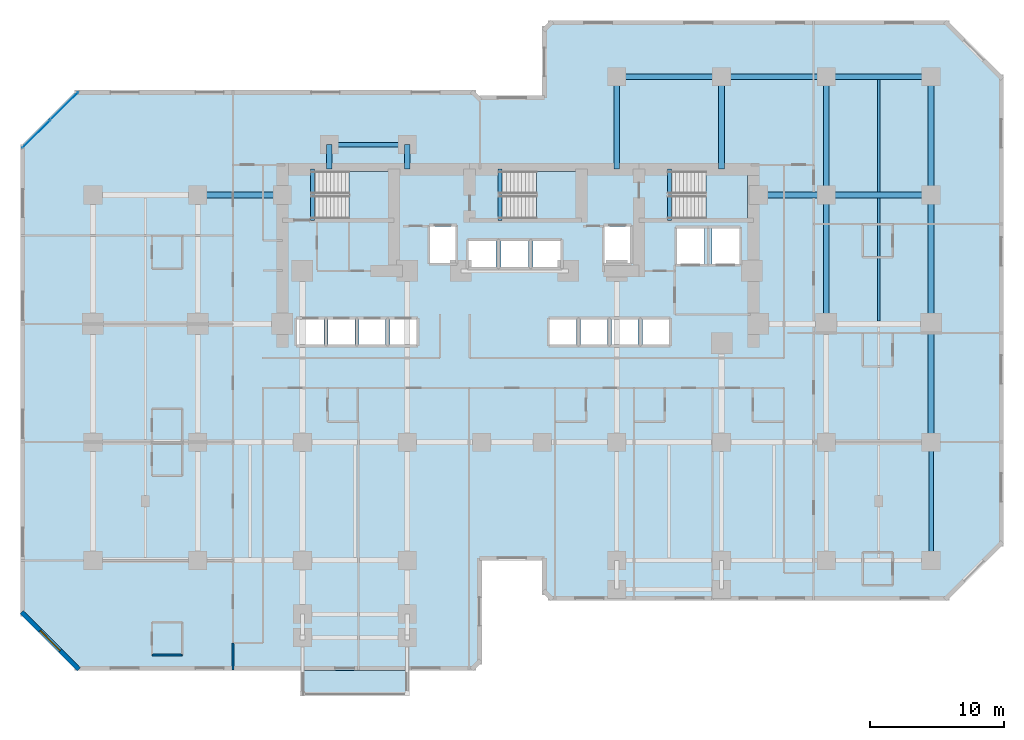
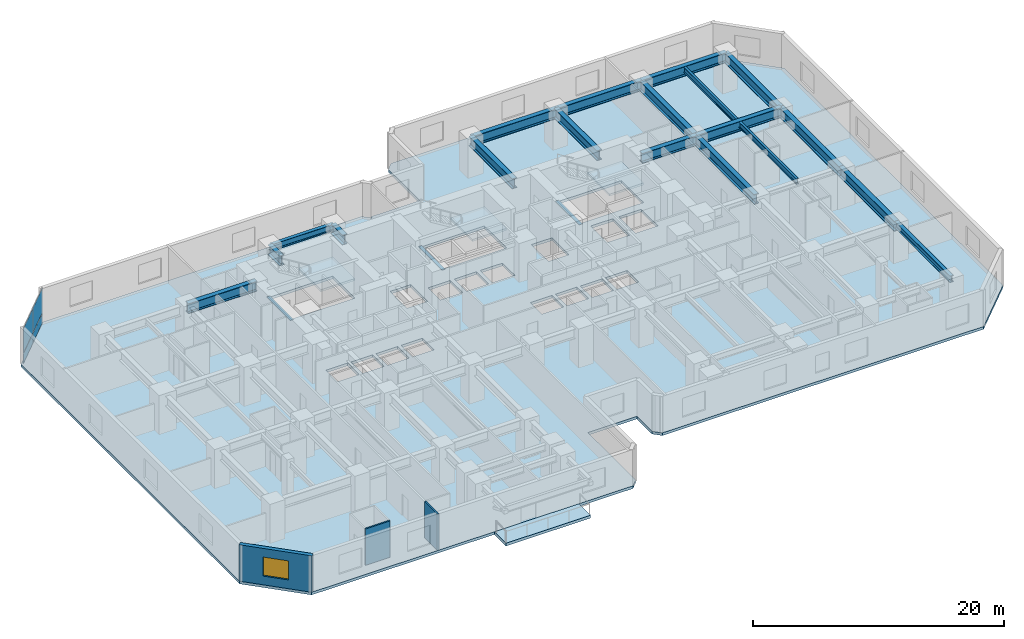
# One storey, part 4 of 12: 22 beams, 5 slabs, 4 plates, 3 walls, 1 window, 1 opening, 4 elements without a shape of their own.
"""IFC4 building model written with IfcOpenShell, lengths in metres."""

import ifcopenshell
import ifcopenshell.guid

model = None  # the IFC model being written
_history = None  # IfcOwnerHistory: only IFC2X3 demands one
_inside = {}  # id of a spatial element -> (the spatial element, [elements in it])
_under = {}  # id of a project, library or spatial element -> (it, [spatial elements below it])
_declared = {}  # id of a project -> (the project, [libraries it declares])
_typed = {}  # id of a type object -> (the type object, [elements of that type])
_made_of = {}  # id of a material, layer set ... -> (it, [elements and type objects made of it])


def new_model(schema):
    """Start an empty IFC model of exactly this schema.

    Asked for "IFC4X3", IfcOpenShell would pick the latest addendum, in which some entities
    have other attributes; the version numbers below select the first issue.
    IFC2X3 requires an IfcOwnerHistory on every rooted entity: one is made here for all.
    """
    global model, _history
    if schema == "IFC4X3":
        model = ifcopenshell.file(schema_version=(4, 3, 0, 0))
    else:
        model = ifcopenshell.file(schema=schema)
    _inside.clear()
    _under.clear()
    _declared.clear()
    _typed.clear()
    _made_of.clear()
    _history = None
    if model.schema == "IFC2X3":
        org = make("IfcOrganization", Name="unknown")
        user = make(
            "IfcPersonAndOrganization",
            ThePerson=make("IfcPerson", FamilyName="unknown"),
            TheOrganization=org,
        )
        app = make(
            "IfcApplication",
            ApplicationDeveloper=org,
            Version="unknown",
            ApplicationFullName="unknown",
            ApplicationIdentifier="unknown",
        )
        _history = make(
            "IfcOwnerHistory",
            OwningUser=user,
            OwningApplication=app,
            ChangeAction="ADDED",
            CreationDate=0,
        )
    return model


def make(cls, **values):
    """One entity of the class cls with the attributes given. An attribute that is None is left unset."""
    return model.create_entity(
        cls, **{name: value for name, value in values.items() if value is not None}
    )


def rooted(cls, **values):
    """An entity with a GlobalId (a new one), such as an element, a storey or a relation."""
    return make(cls, GlobalId=ifcopenshell.guid.new(), OwnerHistory=_history, **values)


def si_unit(unit_type, name, prefix=None):
    """IfcSIUnit, for example si_unit("LENGTHUNIT", "METRE", prefix="MILLI")."""
    return make("IfcSIUnit", UnitType=unit_type, Prefix=prefix, Name=name)


def assignment(units):
    """IfcUnitAssignment: the units of a project."""
    return None if units is None else make("IfcUnitAssignment", Units=units)


def point(xyz):
    """IfcCartesianPoint."""
    return None if xyz is None else make("IfcCartesianPoint", Coordinates=xyz)


def direction(xyz):
    """IfcDirection."""
    return None if xyz is None else make("IfcDirection", DirectionRatios=xyz)


def frame(location, z_axis=None, x_axis=None):
    """IfcAxis2Placement3D, a coordinate frame: its origin and axes. An axis left out is left unset."""
    return make(
        "IfcAxis2Placement3D",
        Location=point(location),
        Axis=direction(z_axis),
        RefDirection=direction(x_axis),
    )


def frame_2d(location, x_axis=None):
    """IfcAxis2Placement2D, a coordinate frame in the plane: its origin and x axis."""
    return make(
        "IfcAxis2Placement2D", Location=point(location), RefDirection=direction(x_axis)
    )


def origin():
    """The frame at (0, 0, 0) with its axes left unset."""
    return frame((0.0, 0.0, 0.0))


def origin_2d():
    """The frame at (0, 0) in the plane with its x axis left unset."""
    return frame_2d((0.0, 0.0))


def place(relative_to, where):
    """IfcLocalPlacement: puts the frame where relative to a parent placement (None: the world)."""
    return make(
        "IfcLocalPlacement", PlacementRelTo=relative_to, RelativePlacement=where
    )


def context(
    kind, dimensions, precision=None, world=None, true_north=None, identifier=None
):
    """IfcGeometricRepresentationContext, for example the 3D "Model" context."""
    return make(
        "IfcGeometricRepresentationContext",
        ContextIdentifier=identifier,
        ContextType=kind,
        CoordinateSpaceDimension=dimensions,
        Precision=precision,
        WorldCoordinateSystem=world,
        TrueNorth=true_north,
    )


def subcontext(parent, identifier, kind, view, scale=None):
    """IfcGeometricRepresentationSubContext, for example "Body" below "Model"."""
    return make(
        "IfcGeometricRepresentationSubContext",
        ContextIdentifier=identifier,
        ContextType=kind,
        ParentContext=parent,
        TargetScale=scale,
        TargetView=view,
    )


def project(units=None, contexts=None):
    """IfcProject with its units and contexts."""
    return rooted(
        "IfcProject",
        Name="project",
        RepresentationContexts=contexts,
        UnitsInContext=assignment(units),
    )


def spatial(cls, under=None, at=None, **own):
    """A site, building, storey or space (cls), placed at a placement, below another one or the project."""
    s = rooted(cls, ObjectPlacement=at, **own)
    if under is not None:
        _under.setdefault(under.id(), (under, []))[1].append(s)
    return s


def polyline(points):
    """IfcPolyline through the points."""
    return make("IfcPolyline", Points=[point(p) for p in points])


def profile(cls, at=None, kind="AREA", **sizes):
    """A parametric profile (cls). Its sizes go by their IFC names, for example OverallWidth=200.0."""
    return make(cls, ProfileType=kind, Position=at, **sizes)


def rectangle(**sizes):
    """IfcRectangleProfileDef."""
    return profile("IfcRectangleProfileDef", **sizes)


def i_section(**sizes):
    """IfcIShapeProfileDef."""
    return profile("IfcIShapeProfileDef", **sizes)


def outline(outer, holes=None, kind="AREA"):
    """IfcArbitraryClosedProfileDef: a profile drawn as a closed curve; with holes, ...WithVoids."""
    if holes is None:
        return make("IfcArbitraryClosedProfileDef", ProfileType=kind, OuterCurve=outer)
    return make(
        "IfcArbitraryProfileDefWithVoids",
        ProfileType=kind,
        OuterCurve=outer,
        InnerCurves=holes,
    )


def extrude(swept, where, along, depth):
    """IfcExtrudedAreaSolid: the profile swept, set in the frame where, extruded along a direction by depth."""
    return make(
        "IfcExtrudedAreaSolid",
        SweptArea=swept,
        Position=where,
        ExtrudedDirection=direction(along),
        Depth=depth,
    )


def shape(context_of_items, identifier, shape_type, items):
    """IfcShapeRepresentation: the items that make up one representation, for example the "Body"."""
    return make(
        "IfcShapeRepresentation",
        ContextOfItems=context_of_items,
        RepresentationIdentifier=identifier,
        RepresentationType=shape_type,
        Items=items,
    )


def material(Name=None, Category=None):
    """IfcMaterial."""
    return make("IfcMaterial", Name=Name, Category=Category)


def layer(
    of_material, thickness, ventilated=None, Name=None, Category=None, Priority=None
):
    """IfcMaterialLayer: one layer of a wall or slab, of a material (None: an air gap)."""
    return make(
        "IfcMaterialLayer",
        Material=of_material,
        LayerThickness=thickness,
        IsVentilated=ventilated,
        Name=Name,
        Category=Category,
        Priority=Priority,
    )


def layer_set(layers, Name=None):
    """IfcMaterialLayerSet."""
    return make("IfcMaterialLayerSet", MaterialLayers=layers, LayerSetName=Name)


def material_profile(
    of_material, cross_section, Name=None, Category=None, Priority=None
):
    """IfcMaterialProfile: a cross section and its material."""
    return make(
        "IfcMaterialProfile",
        Name=Name,
        Material=of_material,
        Profile=cross_section,
        Priority=Priority,
        Category=Category,
    )


def profile_set(profiles, Name=None, composite=None):
    """IfcMaterialProfileSet."""
    return make(
        "IfcMaterialProfileSet",
        Name=Name,
        MaterialProfiles=profiles,
        CompositeProfile=composite,
    )


def made_of(thing, what):
    """Note that an element or type object is made of a material, layer set ...; save() writes the relation."""
    if what is not None:
        _made_of.setdefault(what.id(), (what, []))[1].append(thing)
    return thing


def type_object(cls, material=None, **own):
    """A type object (cls), such as IfcWallType, which elements share."""
    return made_of(rooted(cls, **own), material)


def element(
    cls,
    number,
    at=None,
    inside=None,
    cuts=None,
    type_object=None,
    material=None,
    context=None,
    identifier="Body",
    shape_type=None,
    held_by="IfcProductDefinitionShape",
    body=None,
    shapes=None,
    **own,
):
    """One element of the class cls, such as IfcWall. Its Tag is "e" and its number.

    at: its placement. inside: the storey or other place that contains it. cuts: it is an
    opening in that element (IfcRelVoidsElement). A single representation is given by context,
    identifier, shape_type and body (its items); several are given by shapes. held_by: the class
    of the entity that holds the representations. save() writes the other relations.
    """
    e = rooted(cls, Tag="e%d" % number, ObjectPlacement=at, **own)
    if body is not None:
        shapes = [shape(context, identifier, shape_type, body)]
    if shapes is not None:
        e.Representation = make(held_by, Representations=shapes)
    if inside is not None:
        _inside.setdefault(inside.id(), (inside, []))[1].append(e)
    if cuts is not None:
        rooted(
            "IfcRelVoidsElement", RelatingBuildingElement=cuts, RelatedOpeningElement=e
        )
    if type_object is not None:
        _typed.setdefault(type_object.id(), (type_object, []))[1].append(e)
    return made_of(e, material)


def fill(opening, filler):
    """IfcRelFillsElement: the door or window that sits in an opening."""
    return rooted(
        "IfcRelFillsElement",
        RelatingOpeningElement=opening,
        RelatedBuildingElement=filler,
    )


def aggregate(whole, parts):
    """IfcRelAggregates: a whole, such as a stair, and the parts it consists of."""
    return rooted("IfcRelAggregates", RelatingObject=whole, RelatedObjects=parts)


def save(model, path):
    """Write the relations noted so far, then the file.

    IfcRelAggregates (storeys below a building ...), IfcRelContainedInSpatialStructure (elements
    in a storey), IfcRelDefinesByType, IfcRelAssociatesMaterial and IfcRelDeclares: one each for
    every whole, place, type object, material and project.
    """
    for whole, parts in _under.values():
        aggregate(whole, parts)
    for where, things in _inside.values():
        rooted(
            "IfcRelContainedInSpatialStructure",
            RelatedElements=things,
            RelatingStructure=where,
        )
    for kind, things in _typed.values():
        rooted("IfcRelDefinesByType", RelatedObjects=things, RelatingType=kind)
    for what, things in _made_of.values():
        rooted("IfcRelAssociatesMaterial", RelatedObjects=things, RelatingMaterial=what)
    for by, libraries in _declared.values():
        rooted("IfcRelDeclares", RelatingContext=by, RelatedDefinitions=libraries)
    model.write(path)


model = new_model("IFC4")

# Units and contexts
model_context = context("Model", 3, precision=1e-05, world=origin(), true_north=direction((0.0, 1.0)))
body_context = subcontext(model_context, "Body", "Model", "MODEL_VIEW")
ifc_project = project(units=[si_unit("LENGTHUNIT", "METRE"), si_unit("AREAUNIT", "SQUARE_METRE"), si_unit("VOLUMEUNIT", "CUBIC_METRE"), si_unit("PLANEANGLEUNIT", "RADIAN"), si_unit("MASSUNIT", "GRAM", prefix="KILO")], contexts=[model_context])

# Site, building, storey
site_placement = place(None, origin())
site = spatial("IfcSite", under=ifc_project, at=site_placement, CompositionType="ELEMENT")
building_placement = place(site_placement, origin())
building = spatial("IfcBuilding", under=site, at=building_placement, Name="Kestravale Grand Hotel", CompositionType="ELEMENT")
storey_placement = place(building_placement, frame((0.0, 0.0, 67.800048828125)))
storey = spatial("IfcBuildingStorey", under=building, at=storey_placement, Name="L16", CompositionType="ELEMENT", Elevation=67.800048828125)

# Beams
ifc_material_1 = material(Name="Steel ASTM A992 Grade 50", Category="steel")
ifc_material_profile_1 = material_profile(ifc_material_1, i_section(OverallWidth=0.2099609375, OverallDepth=0.535888671875, WebThickness=0.010986328125, FlangeThickness=0.017333984375, FilletRadius=0.017578125, at=origin_2d()))
ifc_profile_set_1 = profile_set([ifc_material_profile_1], Name="Steel ASTM A992 Grade 50")
beam_type_1 = type_object("IfcBeamType", Name="B-FLR-JST21", PredefinedType="JOIST", material=ifc_profile_set_1)
beam_1_placement = place(storey_placement, frame((66.300048828125, 29.011962890625, 3.27197265625), z_axis=(0.0, 1.0, 0.0), x_axis=(-1.0, 0.0, 0.0)))
element("IfcBeam", 1, at=beam_1_placement, inside=storey, type_object=beam_type_1, Name="L16 floor joist 10-11/E-F #1", PredefinedType="JOIST", context=body_context, shape_type="SweptSolid", body=[
    extrude(i_section(OverallWidth=0.2099609375, OverallDepth=0.535888671875, WebThickness=0.010986328125, FlangeThickness=0.017333984375, FilletRadius=0.017578125, at=origin_2d()), origin(), (0.0, 0.0, 1.0), 9.176025390625),
])
beam_2_placement = place(storey_placement, frame((66.300048828125, 38.612060546875, 3.27197265625), z_axis=(0.0, 1.0, 0.0), x_axis=(-1.0, 0.0, 0.0)))
element("IfcBeam", 2, at=beam_2_placement, inside=storey, type_object=beam_type_1, Name="L16 floor joist 10-11/F-G #1", PredefinedType="JOIST", context=body_context, shape_type="SweptSolid", body=[
    extrude(i_section(OverallWidth=0.2099609375, OverallDepth=0.535888671875, WebThickness=0.010986328125, FlangeThickness=0.017333984375, FilletRadius=0.017578125, at=origin_2d()), origin(), (0.0, 0.0, 1.0), 8.3759765625),
])
ifc_material_2 = material(Name="Concrete f'c 45 MPa", Category="concrete")
ifc_material_profile_2 = material_profile(ifc_material_2, rectangle(XDim=0.300048828125, YDim=0.39990234375, at=origin_2d()))
ifc_profile_set_2 = profile_set([ifc_material_profile_2], Name="Concrete f'c 45 MPa")
beam_type_2 = type_object("IfcBeamType", Name="B-FLR-LNT400", PredefinedType="LINTEL", material=ifc_profile_set_2)
for number, where, z_axis, x_axis, name in (
    (3, (24.159912109375, 36.52001953125, -0.199951171875), (0.0, 1.0, 0.0), (-1.0, 0.0, 0.0), "L16 ST1 flight bottom header beam"),
    (4, (38.110107421875, 36.52001953125, -0.199951171875), (0.0, 1.0, 0.0), (-1.0, 0.0, 0.0), "L16 ST2 flight bottom header beam"),
    (5, (50.7099609375, 36.52001953125, -0.199951171875), (0.0, 1.0, 0.0), (-1.0, 0.0, 0.0), "L16 ST3 flight bottom header beam"),
):
    element("IfcBeam", number, at=place(storey_placement, frame(where, z_axis=z_axis, x_axis=x_axis)), inside=storey, type_object=beam_type_2, Name=name, PredefinedType="LINTEL", context=body_context, shape_type="SweptSolid", body=[
        extrude(rectangle(XDim=0.300048828125, YDim=0.39990234375, at=origin_2d()), origin(), (0.0, 0.0, 1.0), 3.800048828125),
    ])
ifc_material_3 = material(Name="Steel ASTM A992 Grade 50", Category="steel")
ifc_material_profile_3 = material_profile(ifc_material_3, i_section(OverallWidth=0.324951171875, OverallDepth=0.612060546875, WebThickness=0.0126953125, FlangeThickness=0.01904296875, FilletRadius=0.018798828125, at=origin_2d()))
ifc_profile_set_3 = profile_set([ifc_material_profile_3], Name="Steel ASTM A992 Grade 50")
beam_type_3 = type_object("IfcBeamType", Name="B-FLR-W24A", PredefinedType="SPANDREL", material=ifc_profile_set_3)
beam_3_placement = place(storey_placement, frame((25.39990234375, 42.14990234375, 3.23388671875), z_axis=(1.0, 0.0, 0.0), x_axis=(0.0, 1.0, 0.0)))
element("IfcBeam", 6, at=beam_3_placement, inside=storey, type_object=beam_type_3, Name="L16 perimeter tie spandrel FN:4-5", PredefinedType="SPANDREL", context=body_context, shape_type="SweptSolid", body=[
    extrude(i_section(OverallWidth=0.324951171875, OverallDepth=0.612060546875, WebThickness=0.0126953125, FlangeThickness=0.01904296875, FilletRadius=0.018798828125, at=origin_2d()), origin(), (0.0, 0.0, 1.0), 5.800048828125),
])
beam_4_placement = place(storey_placement, frame((70.199951171875, 11.199951171875, 3.23388671875), z_axis=(0.0, 1.0, 0.0), x_axis=(-1.0, 0.0, 0.0)))
element("IfcBeam", 7, at=beam_4_placement, inside=storey, type_object=beam_type_3, Name="L16 spandrel 11:C-D", PredefinedType="SPANDREL", context=body_context, shape_type="SweptSolid", body=[
    extrude(i_section(OverallWidth=0.324951171875, OverallDepth=0.612060546875, WebThickness=0.0126953125, FlangeThickness=0.01904296875, FilletRadius=0.018798828125, at=origin_2d()), origin(), (0.0, 0.0, 1.0), 8.800048828125),
])
ifc_material_4 = material(Name="Steel ASTM A992 Grade 50", Category="steel")
ifc_material_profile_4 = material_profile(ifc_material_4, i_section(OverallWidth=0.424072265625, OverallDepth=0.947021484375, WebThickness=0.02392578125, FlangeThickness=0.042724609375, FilletRadius=0.0283203125, at=origin_2d()))
ifc_profile_set_4 = profile_set([ifc_material_profile_4], Name="Steel ASTM A992 Grade 50")
beam_type_4 = type_object("IfcBeamType", Name="B-GRD-W36", PredefinedType="BEAM", material=ifc_profile_set_4)
beam_5_placement = place(storey_placement, frame((15.60009765625, 38.39990234375, 3.06640625), z_axis=(1.0, 0.0, 0.0), x_axis=(0.0, 1.0, 0.0)))
element("IfcBeam", 8, at=beam_5_placement, inside=storey, type_object=beam_type_4, Name="L16 girder F:3-CW", PredefinedType="BEAM", context=body_context, shape_type="SweptSolid", body=[
    extrude(i_section(OverallWidth=0.424072265625, OverallDepth=0.947021484375, WebThickness=0.02392578125, FlangeThickness=0.042724609375, FilletRadius=0.0283203125, at=origin_2d()), origin(), (0.0, 0.0, 1.0), 6.2998046875),
])
beam_6_placement = place(storey_placement, frame((57.35009765625, 38.39990234375, 3.06640625), z_axis=(1.0, 0.0, 0.0), x_axis=(0.0, 1.0, 0.0)))
element("IfcBeam", 9, at=beam_6_placement, inside=storey, type_object=beam_type_4, Name="L16 girder F:CE-10", PredefinedType="BEAM", context=body_context, shape_type="SweptSolid", body=[
    extrude(i_section(OverallWidth=0.424072265625, OverallDepth=0.947021484375, WebThickness=0.02392578125, FlangeThickness=0.042724609375, FilletRadius=0.0283203125, at=origin_2d()), origin(), (0.0, 0.0, 1.0), 5.0498046875),
])
for number, where, z_axis, x_axis, name in (
    (10, (62.39990234375, 38.39990234375, 3.06640625), (1.0, 0.0, 0.0), (0.0, 1.0, 0.0), "L16 girder F:10-11"),
    (11, (46.800048828125, 47.199951171875, 3.06640625), (1.0, 0.0, 0.0), (0.0, 1.0, 0.0), "L16 girder G:8-9"),
):
    element("IfcBeam", number, at=place(storey_placement, frame(where, z_axis=z_axis, x_axis=x_axis)), inside=storey, type_object=beam_type_4, Name=name, PredefinedType="BEAM", context=body_context, shape_type="SweptSolid", body=[
        extrude(i_section(OverallWidth=0.424072265625, OverallDepth=0.947021484375, WebThickness=0.02392578125, FlangeThickness=0.042724609375, FilletRadius=0.0283203125, at=origin_2d()), origin(), (0.0, 0.0, 1.0), 7.800048828125),
    ])
beam_7_placement = place(storey_placement, frame((54.60009765625, 47.199951171875, 3.06640625), z_axis=(1.0, 0.0, 0.0), x_axis=(0.0, 1.0, 0.0)))
element("IfcBeam", 12, at=beam_7_placement, inside=storey, type_object=beam_type_4, Name="L16 girder G:9-10", PredefinedType="BEAM", context=body_context, shape_type="SweptSolid", body=[
    extrude(i_section(OverallWidth=0.424072265625, OverallDepth=0.947021484375, WebThickness=0.02392578125, FlangeThickness=0.042724609375, FilletRadius=0.0283203125, at=origin_2d()), origin(), (0.0, 0.0, 1.0), 7.7998046875),
])
beam_8_placement = place(storey_placement, frame((62.39990234375, 47.199951171875, 3.06640625), z_axis=(1.0, 0.0, 0.0), x_axis=(0.0, 1.0, 0.0)))
element("IfcBeam", 13, at=beam_8_placement, inside=storey, type_object=beam_type_4, Name="L16 girder G:10-11", PredefinedType="BEAM", context=body_context, shape_type="SweptSolid", body=[
    extrude(i_section(OverallWidth=0.424072265625, OverallDepth=0.947021484375, WebThickness=0.02392578125, FlangeThickness=0.042724609375, FilletRadius=0.0283203125, at=origin_2d()), origin(), (0.0, 0.0, 1.0), 7.800048828125),
])
beam_9_placement = place(storey_placement, frame((62.39990234375, 28.800048828125, 3.06640625), z_axis=(0.0, 1.0, 0.0), x_axis=(-1.0, 0.0, 0.0)))
element("IfcBeam", 14, at=beam_9_placement, inside=storey, type_object=beam_type_4, Name="L16 girder 10:E-F", PredefinedType="BEAM", context=body_context, shape_type="SweptSolid", body=[
    extrude(i_section(OverallWidth=0.424072265625, OverallDepth=0.947021484375, WebThickness=0.02392578125, FlangeThickness=0.042724609375, FilletRadius=0.0283203125, at=origin_2d()), origin(), (0.0, 0.0, 1.0), 9.599853515625),
])
for number, where, z_axis, x_axis, name in (
    (15, (62.39990234375, 38.39990234375, 3.06640625), (0.0, 1.0, 0.0), (-1.0, 0.0, 0.0), "L16 girder 10:F-G"),
    (16, (70.199951171875, 20.0, 3.06640625), (0.0, 1.0, 0.0), (-1.0, 0.0, 0.0), "L16 girder 11:D-E"),
):
    element("IfcBeam", number, at=place(storey_placement, frame(where, z_axis=z_axis, x_axis=x_axis)), inside=storey, type_object=beam_type_4, Name=name, PredefinedType="BEAM", context=body_context, shape_type="SweptSolid", body=[
        extrude(i_section(OverallWidth=0.424072265625, OverallDepth=0.947021484375, WebThickness=0.02392578125, FlangeThickness=0.042724609375, FilletRadius=0.0283203125, at=origin_2d()), origin(), (0.0, 0.0, 1.0), 8.800048828125),
    ])
beam_10_placement = place(storey_placement, frame((70.199951171875, 28.800048828125, 3.06640625), z_axis=(0.0, 1.0, 0.0), x_axis=(-1.0, 0.0, 0.0)))
element("IfcBeam", 17, at=beam_10_placement, inside=storey, type_object=beam_type_4, Name="L16 girder 11:E-F", PredefinedType="BEAM", context=body_context, shape_type="SweptSolid", body=[
    extrude(i_section(OverallWidth=0.424072265625, OverallDepth=0.947021484375, WebThickness=0.02392578125, FlangeThickness=0.042724609375, FilletRadius=0.0283203125, at=origin_2d()), origin(), (0.0, 0.0, 1.0), 9.599853515625),
])
beam_11_placement = place(storey_placement, frame((70.199951171875, 38.39990234375, 3.06640625), z_axis=(0.0, 1.0, 0.0), x_axis=(-1.0, 0.0, 0.0)))
element("IfcBeam", 18, at=beam_11_placement, inside=storey, type_object=beam_type_4, Name="L16 girder 11:F-G", PredefinedType="BEAM", context=body_context, shape_type="SweptSolid", body=[
    extrude(i_section(OverallWidth=0.424072265625, OverallDepth=0.947021484375, WebThickness=0.02392578125, FlangeThickness=0.042724609375, FilletRadius=0.0283203125, at=origin_2d()), origin(), (0.0, 0.0, 1.0), 8.800048828125),
])
for number, where, z_axis, x_axis, name in (
    (19, (25.39990234375, 40.320068359375, 3.06640625), (0.0, 1.0, 0.0), (-1.0, 0.0, 0.0), "L16 north wing tie girder 4:CN-FN"),
    (20, (31.199951171875, 40.320068359375, 3.06640625), (0.0, 1.0, 0.0), (-1.0, 0.0, 0.0), "L16 north wing tie girder 5:CN-FN"),
):
    element("IfcBeam", number, at=place(storey_placement, frame(where, z_axis=z_axis, x_axis=x_axis)), inside=storey, type_object=beam_type_4, Name=name, PredefinedType="BEAM", context=body_context, shape_type="SweptSolid", body=[
        extrude(i_section(OverallWidth=0.424072265625, OverallDepth=0.947021484375, WebThickness=0.02392578125, FlangeThickness=0.042724609375, FilletRadius=0.0283203125, at=origin_2d()), origin(), (0.0, 0.0, 1.0), 1.829833984375),
    ])
for number, where, z_axis, x_axis, name in (
    (21, (46.800048828125, 40.320068359375, 3.06640625), (0.0, 1.0, 0.0), (-1.0, 0.0, 0.0), "L16 north wing tie girder 8:CN-G"),
    (22, (54.60009765625, 40.320068359375, 3.06640625), (0.0, 1.0, 0.0), (-1.0, 0.0, 0.0), "L16 north wing tie girder 9:CN-G"),
):
    element("IfcBeam", number, at=place(storey_placement, frame(where, z_axis=z_axis, x_axis=x_axis)), inside=storey, type_object=beam_type_4, Name=name, PredefinedType="BEAM", context=body_context, shape_type="SweptSolid", body=[
        extrude(i_section(OverallWidth=0.424072265625, OverallDepth=0.947021484375, WebThickness=0.02392578125, FlangeThickness=0.042724609375, FilletRadius=0.0283203125, at=origin_2d()), origin(), (0.0, 0.0, 1.0), 6.8798828125),
    ])

# Curtain wall, plates
ifc_material_5 = material(Name="Thermally broken champagne-bronze aluminium and low-E glazing", Category="aluminium")
ifc_layer_1 = layer(ifc_material_5, 0.199951171875)
ifc_layer_set_1 = layer_set([ifc_layer_1], Name="CW-Z1")
curtain_wall_type = type_object("IfcCurtainWallType", Name="CW-Z1", PredefinedType="NOTDEFINED", material=ifc_layer_set_1)
curtain_wall_placement = place(storey_placement, origin())
curtain_wall = element("IfcCurtainWall", 23, at=curtain_wall_placement, inside=storey, type_object=curtain_wall_type, Name="L16 unitised curtain wall 18", PredefinedType="NOTDEFINED")
ifc_material_6 = material(Name="Insulated clear low-E double glazing IGU", Category="glass")
ifc_layer_2 = layer(ifc_material_6, 0.035888671875)
ifc_layer_set_2 = layer_set([ifc_layer_2], Name="CW-PNL-36")
plate_type = type_object("IfcPlateType", Name="CW-PNL-36", PredefinedType="CURTAIN_PANEL", material=ifc_layer_set_2)
plate_1_placement = place(storey_placement, frame((5.6640625, 45.023681640625, 0.074951171875), z_axis=(0.0, 0.0, 1.0), x_axis=(-0.707106781187, -0.707106781187, 0.0)))
plate_1 = element("IfcPlate", 24, at=plate_1_placement, type_object=plate_type, Name="CW-Z1 panel 1.1", PredefinedType="CURTAIN_PANEL", context=body_context, shape_type="SweptSolid", body=[
    extrude(rectangle(XDim=2.87744140625, YDim=0.035888671875, at=origin_2d()), origin(), (0.0, 0.0, 1.0), 0.9375),
])
plate_2_placement = place(storey_placement, frame((5.6640625, 45.023681640625, 1.08740234375), z_axis=(0.0, 0.0, 1.0), x_axis=(-0.707106781187, -0.707106781187, 0.0)))
plate_2 = element("IfcPlate", 25, at=plate_2_placement, type_object=plate_type, Name="CW-Z1 panel 1.2", PredefinedType="CURTAIN_PANEL", context=body_context, shape_type="SweptSolid", body=[
    extrude(rectangle(XDim=2.87744140625, YDim=0.035888671875, at=origin_2d()), origin(), (0.0, 0.0, 1.0), 2.37744140625),
])
plate_3_placement = place(storey_placement, frame((3.576416015625, 42.93603515625, 0.074951171875), z_axis=(0.0, 0.0, 1.0), x_axis=(-0.707106781187, -0.707106781187, 0.0)))
plate_3 = element("IfcPlate", 26, at=plate_3_placement, type_object=plate_type, Name="CW-Z1 panel 2.1", PredefinedType="CURTAIN_PANEL", context=body_context, shape_type="SweptSolid", body=[
    extrude(rectangle(XDim=2.87744140625, YDim=0.035888671875, at=origin_2d()), origin(), (0.0, 0.0, 1.0), 0.9375),
])
plate_4_placement = place(storey_placement, frame((3.576416015625, 42.93603515625, 1.08740234375), z_axis=(0.0, 0.0, 1.0), x_axis=(-0.707106781187, -0.707106781187, 0.0)))
plate_4 = element("IfcPlate", 27, at=plate_4_placement, type_object=plate_type, Name="CW-Z1 panel 2.2", PredefinedType="CURTAIN_PANEL", context=body_context, shape_type="SweptSolid", body=[
    extrude(rectangle(XDim=2.87744140625, YDim=0.035888671875, at=origin_2d()), origin(), (0.0, 0.0, 1.0), 2.37744140625),
])
aggregate(curtain_wall, [plate_1, plate_2, plate_3, plate_4])

# Slab
ifc_material_7 = material(Name="Concrete f'c 45 MPa", Category="concrete")
ifc_layer_3 = layer(ifc_material_7, 0.27001953125)
ifc_layer_set_3 = layer_set([ifc_layer_3], Name="ES-TERR-270")
slab_type_1 = type_object("IfcSlabType", Name="ES-TERR-270", PredefinedType="FLOOR", material=ifc_layer_set_3)
slab_1_placement = place(storey_placement, frame((0.0, 0.0, -0.27001953125)))
element("IfcSlab", 28, at=slab_1_placement, inside=storey, type_object=slab_type_1, Name="L16 spiralling planted garden terrace", PredefinedType="FLOOR", context=body_context, shape_type="SweptSolid", body=[
    extrude(outline(polyline([(23.39990234375, 1.14990234375), (31.199951171875, 1.14990234375), (31.199951171875, 3.0), (23.39990234375, 3.0), (23.39990234375, 1.14990234375)])), origin(), (0.0, 0.0, 1.0), 0.27001953125),
])

# Stair, slab
ifc_material_8 = material(Name="Concrete f'c 45 MPa", Category="concrete")
stair_type = type_object("IfcStairType", Name="ST-CORE-380", PredefinedType="HALF_TURN_STAIR", material=ifc_material_8)
stair_1_placement = place(storey_placement, origin())
stair_1 = element("IfcStair", 29, at=stair_1_placement, inside=storey, type_object=stair_type, Name="L16 ST-1", PredefinedType="HALF_TURN_STAIR")
ifc_material_9 = material(Name="Concrete f'c 45 MPa", Category="concrete")
ifc_layer_4 = layer(ifc_material_9, 0.199951171875)
ifc_layer_set_4 = layer_set([ifc_layer_4], Name="SLB-ST-LND200")
slab_type_2 = type_object("IfcSlabType", Name="SLB-ST-LND200", PredefinedType="LANDING", material=ifc_layer_set_4)
slab_2_placement = place(storey_placement, frame((0.0, 0.0, 1.699951171875)))
slab_2 = element("IfcSlab", 30, at=slab_2_placement, type_object=slab_type_2, Name="ST-1 landing 1", PredefinedType="LANDING", context=body_context, shape_type="SweptSolid", body=[
    extrude(outline(polyline([(26.8798828125, 36.64990234375), (30.0, 36.64990234375), (30.0, 40.159912109375), (26.8798828125, 40.159912109375), (26.8798828125, 36.64990234375)])), origin(), (0.0, 0.0, 1.0), 0.199951171875),
])
aggregate(stair_1, [slab_2])

stair_2_placement = place(storey_placement, origin())
stair_2 = element("IfcStair", 31, at=stair_2_placement, inside=storey, type_object=stair_type, Name="L16 ST-2", PredefinedType="HALF_TURN_STAIR")
slab_3_placement = place(storey_placement, frame((0.0, 0.0, 1.699951171875)))
slab_3 = element("IfcSlab", 32, at=slab_3_placement, type_object=slab_type_2, Name="ST-2 landing 1", PredefinedType="LANDING", context=body_context, shape_type="SweptSolid", body=[
    extrude(outline(polyline([(40.830078125, 36.64990234375), (43.949951171875, 36.64990234375), (43.949951171875, 40.159912109375), (40.830078125, 40.159912109375), (40.830078125, 36.64990234375)])), origin(), (0.0, 0.0, 1.0), 0.199951171875),
])
aggregate(stair_2, [slab_3])

stair_3_placement = place(storey_placement, origin())
stair_3 = element("IfcStair", 33, at=stair_3_placement, inside=storey, type_object=stair_type, Name="L16 ST-3", PredefinedType="HALF_TURN_STAIR")
slab_4_placement = place(storey_placement, frame((0.0, 0.0, 1.699951171875)))
slab_4 = element("IfcSlab", 34, at=slab_4_placement, type_object=slab_type_2, Name="ST-3 landing 1", PredefinedType="LANDING", context=body_context, shape_type="SweptSolid", body=[
    extrude(outline(polyline([(53.429931640625, 36.64990234375), (56.550048828125, 36.64990234375), (56.550048828125, 40.159912109375), (53.429931640625, 40.159912109375), (53.429931640625, 36.64990234375)])), origin(), (0.0, 0.0, 1.0), 0.199951171875),
])
aggregate(stair_3, [slab_4])

# Slab
ifc_material_10 = material(Name="Concrete f'c 45 MPa", Category="concrete")
ifc_layer_5 = layer(ifc_material_10, 0.260009765625)
ifc_layer_set_5 = layer_set([ifc_layer_5], Name="SS-FLR-260")
slab_type_3 = type_object("IfcSlabType", Name="SS-FLR-260", PredefinedType="FLOOR", material=ifc_layer_set_5)
slab_5_placement = place(storey_placement, frame((0.0, 0.0, -0.260009765625)))
element("IfcSlab", 35, at=slab_5_placement, inside=storey, type_object=slab_type_3, Name="L16 structural floor slab", PredefinedType="FLOOR", context=body_context, shape_type="SweptSolid", body=[
    extrude(outline(polyline([(6.60009765625, 3.0), (36.14990234375, 3.0), (36.75, 3.60009765625), (36.75, 11.199951171875), (41.25, 11.199951171875), (41.25, 8.800048828125), (41.85009765625, 8.199951171875), (71.39990234375, 8.199951171875), (75.60009765625, 12.39990234375), (75.60009765625, 47.199951171875), (71.39990234375, 51.39990234375), (41.85009765625, 51.39990234375), (41.25, 50.800048828125), (41.25, 45.800048828125), (36.75, 45.800048828125), (36.75, 45.60009765625), (36.14990234375, 46.199951171875), (6.60009765625, 46.199951171875), (2.39990234375, 42.0), (2.39990234375, 7.199951171875), (6.60009765625, 3.0)]), holes=[polyline([(24.080078125, 36.64990234375), (30.0, 36.64990234375), (30.0, 40.159912109375), (24.080078125, 40.159912109375), (24.080078125, 36.64990234375)]), polyline([(38.030029296875, 36.64990234375), (43.949951171875, 36.64990234375), (43.949951171875, 40.159912109375), (38.030029296875, 40.159912109375), (38.030029296875, 36.64990234375)]), polyline([(50.6298828125, 36.64990234375), (56.550048828125, 36.64990234375), (56.550048828125, 40.159912109375), (50.6298828125, 40.159912109375), (50.6298828125, 36.64990234375)]), polyline([(23.0048828125, 27.280029296875), (24.9951171875, 27.280029296875), (24.9951171875, 29.1201171875), (23.0048828125, 29.1201171875), (23.0048828125, 27.280029296875)]), polyline([(25.304931640625, 27.280029296875), (27.294921875, 27.280029296875), (27.294921875, 29.1201171875), (25.304931640625, 29.1201171875), (25.304931640625, 27.280029296875)]), polyline([(27.60498046875, 27.280029296875), (29.594970703125, 27.280029296875), (29.594970703125, 29.1201171875), (27.60498046875, 29.1201171875), (27.60498046875, 27.280029296875)]), polyline([(29.905029296875, 27.280029296875), (31.89501953125, 27.280029296875), (31.89501953125, 29.1201171875), (29.905029296875, 29.1201171875), (29.905029296875, 27.280029296875)]), polyline([(41.804931640625, 27.280029296875), (43.794921875, 27.280029296875), (43.794921875, 29.1201171875), (41.804931640625, 29.1201171875), (41.804931640625, 27.280029296875)]), polyline([(44.10498046875, 27.280029296875), (46.094970703125, 27.280029296875), (46.094970703125, 29.1201171875), (44.10498046875, 29.1201171875), (44.10498046875, 27.280029296875)]), polyline([(46.405029296875, 27.280029296875), (48.39501953125, 27.280029296875), (48.39501953125, 29.1201171875), (46.405029296875, 29.1201171875), (46.405029296875, 27.280029296875)]), polyline([(48.705078125, 27.280029296875), (50.695068359375, 27.280029296875), (50.695068359375, 29.1201171875), (48.705078125, 29.1201171875), (48.705078125, 27.280029296875)]), polyline([(35.780029296875, 33.030029296875), (37.820068359375, 33.030029296875), (37.820068359375, 34.969970703125), (35.780029296875, 34.969970703125), (35.780029296875, 33.030029296875)]), polyline([(38.179931640625, 33.030029296875), (40.219970703125, 33.030029296875), (40.219970703125, 34.969970703125), (38.179931640625, 34.969970703125), (38.179931640625, 33.030029296875)]), polyline([(40.580078125, 33.030029296875), (42.6201171875, 33.030029296875), (42.6201171875, 34.969970703125), (40.580078125, 34.969970703125), (40.580078125, 33.030029296875)]), polyline([(32.905029296875, 33.35498046875), (34.794921875, 33.35498046875), (34.794921875, 36.044921875), (32.905029296875, 36.044921875), (32.905029296875, 33.35498046875)]), polyline([(45.905029296875, 33.35498046875), (47.794921875, 33.35498046875), (47.794921875, 36.044921875), (45.905029296875, 36.044921875), (45.905029296875, 33.35498046875)]), polyline([(51.280029296875, 33.280029296875), (53.320068359375, 33.280029296875), (53.320068359375, 35.919921875), (51.280029296875, 35.919921875), (51.280029296875, 33.280029296875)]), polyline([(53.8798828125, 33.280029296875), (55.919921875, 33.280029296875), (55.919921875, 35.919921875), (53.8798828125, 35.919921875), (53.8798828125, 33.280029296875)])]), origin(), (0.0, 0.0, 1.0), 0.260009765625),
])

# Wall, opening, window
ifc_material_11 = material(Name="Precast concrete f'c 45 MPa", Category="concrete")
ifc_layer_6 = layer(ifc_material_11, 0.340087890625)
ifc_layer_set_6 = layer_set([ifc_layer_6], Name="EW-PREC-340")
wall_type_1 = type_object("IfcWallType", Name="EW-PREC-340", PredefinedType="SOLIDWALL", material=ifc_layer_set_6)
wall_1_placement = place(storey_placement, frame((2.491943359375, 7.348388671875, 0.0), z_axis=(0.0, 0.0, 1.0), x_axis=(0.707106781187, -0.707106781187, 0.0)))
wall_1 = element("IfcWall", 36, at=wall_1_placement, inside=storey, type_object=wall_type_1, Name="L16 fluted precast facade wall 20", PredefinedType="SOLIDWALL", context=body_context, shape_type="SweptSolid", body=[
    extrude(rectangle(XDim=6.019775390625, YDim=0.340087890625, at=frame_2d((3.009765625, 0.0))), origin(), (0.0, 0.0, 1.0), 3.5400390625),
])
opening_placement = place(wall_1_placement, frame((1.9599609375, 0.0, 0.85009765625)))
opening = element("IfcOpeningElement", 37, at=opening_placement, cuts=wall_1, Name="Opening W-GUEST-2100", PredefinedType="OPENING", context=body_context, shape_type="SweptSolid", body=[
    extrude(rectangle(XDim=2.10009765625, YDim=1.85009765625, at=frame_2d((1.050048828125, 0.925048828125))), frame((0.0, 0.179931640625, 0.0), z_axis=(0.0, -1.0, 0.0), x_axis=(1.0, 0.0, 0.0)), (0.0, 0.0, 1.0), 0.360107421875),
])
ifc_material_12 = material(Name="Insulated low-E double glazing in aluminium frame", Category="aluminium")
window_type = type_object("IfcWindowType", Name="W-GUEST-2100", PartitioningType="DOUBLE_PANEL_VERTICAL", PredefinedType="WINDOW", material=ifc_material_12)
window_placement = place(opening_placement, origin())
window = element("IfcWindow", 38, at=window_placement, inside=storey, type_object=window_type, Name="L16 exterior window 20.1", OverallHeight=1.85009765625, OverallWidth=2.10009765625, PartitioningType="SINGLE_PANEL", PredefinedType="WINDOW", context=body_context, shape_type="SweptSolid", body=[
    extrude(rectangle(XDim=2.10009765625, YDim=1.85009765625, at=frame_2d((1.050048828125, 0.925048828125))), frame((0.0, 0.030029296875, 0.0), z_axis=(0.0, -1.0, 0.0), x_axis=(1.0, 0.0, 0.0)), (0.0, 0.0, 1.0), 0.06005859375),
])
fill(opening, window)

# Walls
ifc_material_13 = material(Name="Moisture-resistant tile-backer plumbing chase wall", Category="other")
ifc_layer_7 = layer(ifc_material_13, 0.139892578125)
ifc_layer_set_7 = layer_set([ifc_layer_7], Name="IW-PLB-140")
wall_type_2 = type_object("IfcWallType", Name="IW-PLB-140", PredefinedType="PLUMBINGWALL", material=ifc_layer_set_7)
wall_2_placement = place(storey_placement, frame((12.199951171875, 4.14990234375, 0.0), z_axis=(0.0, 0.0, 1.0), x_axis=(1.0, 0.0, 0.0)))
element("IfcWall", 39, at=wall_2_placement, inside=storey, type_object=wall_type_2, Name="W-L16-U05-BS", PredefinedType="PLUMBINGWALL", context=body_context, shape_type="SweptSolid", body=[
    extrude(rectangle(XDim=2.25, YDim=0.139892578125, at=frame_2d((1.125, 0.0))), origin(), (0.0, 0.0, 1.0), 3.5400390625),
])
ifc_material_14 = material(Name="Double-stud STC 52 acoustic demising partition", Category="other")
ifc_layer_8 = layer(ifc_material_14, 0.14990234375)
ifc_layer_set_8 = layer_set([ifc_layer_8], Name="IW-UNIT-150")
wall_type_3 = type_object("IfcWallType", Name="IW-UNIT-150", PredefinedType="PARTITIONING", material=ifc_layer_set_8)
wall_3_placement = place(storey_placement, frame((18.239990234375, 3.02001953125, 0.0), z_axis=(0.0, 0.0, 1.0), x_axis=(0.0, 1.0, 0.0)))
element("IfcWall", 40, at=wall_3_placement, inside=storey, type_object=wall_type_3, Name="W-L16-SW-EXT", PredefinedType="PARTITIONING", context=body_context, shape_type="SweptSolid", body=[
    extrude(rectangle(XDim=2.030029296875, YDim=0.14990234375, at=frame_2d((1.01513671875, 0.0))), origin(), (0.0, 0.0, 1.0), 3.5400390625),
])

save(model, "model.ifc")
